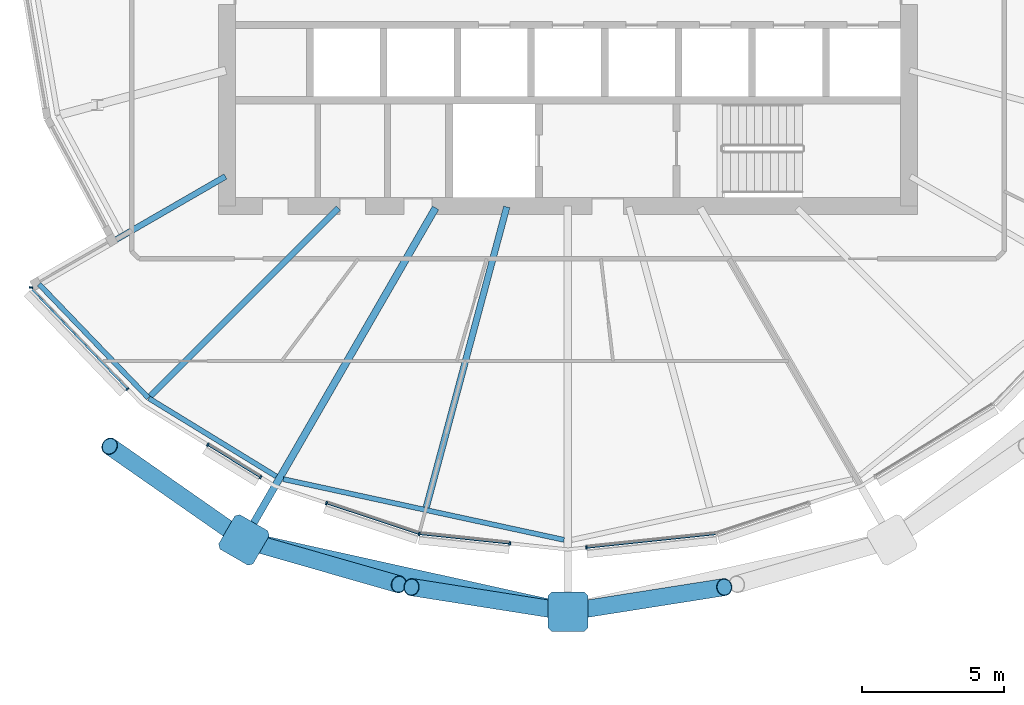
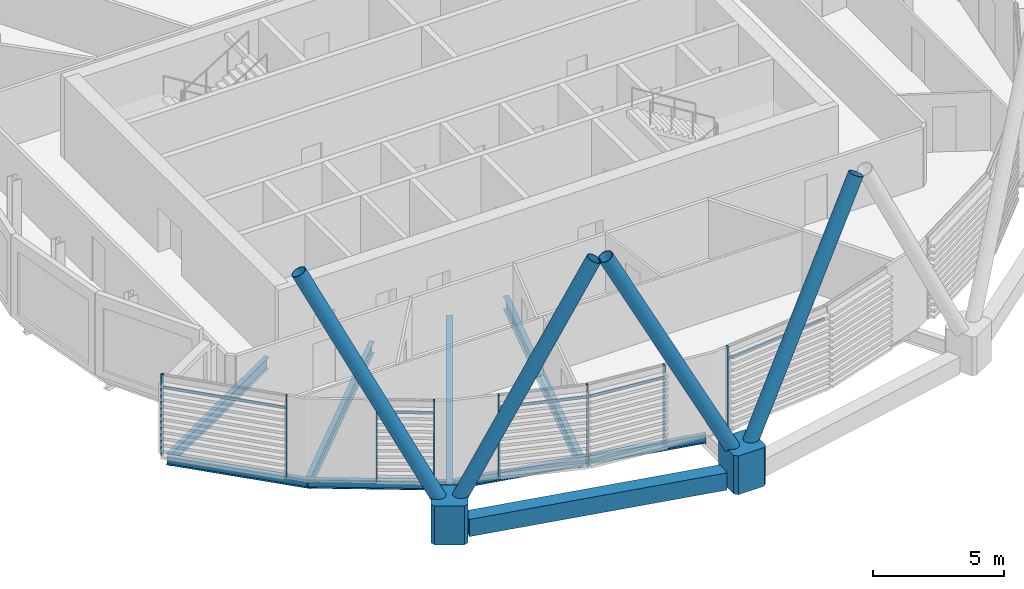
# One storey, part 3 of 38: 19 members, 8 beams, 1 element without a shape of its own.
"""IFC4 building model written with IfcOpenShell, lengths in metres."""

from ifc_helpers import new_model, si_unit, direction, frame, origin, origin_2d, place, context, subcontext, project, spatial, polyline, rectangle, hollow_rectangle, hollow_circle, i_section, outline, extrude, material, material_profile, profile_set, type_object, element, aggregate, save


model = new_model("IFC4")

# Units and contexts
model_context = context("Model", 3, precision=1e-05, world=origin(), true_north=direction((0.0, 1.0)))
body_context = subcontext(model_context, "Body", "Model", "MODEL_VIEW")
ifc_project = project(units=[si_unit("LENGTHUNIT", "METRE"), si_unit("AREAUNIT", "SQUARE_METRE"), si_unit("VOLUMEUNIT", "CUBIC_METRE"), si_unit("PLANEANGLEUNIT", "RADIAN"), si_unit("MASSUNIT", "GRAM", prefix="KILO")], contexts=[model_context])

# Site, building, storey
site_placement = place(None, origin())
site = spatial("IfcSite", under=ifc_project, at=site_placement, CompositionType="ELEMENT")
building_placement = place(site_placement, origin())
building = spatial("IfcBuilding", under=site, at=building_placement, Name="Rimbun Link Towers", CompositionType="ELEMENT")
storey_placement = place(building_placement, frame((0.0, 0.0, 158.89990234375)))
storey = spatial("IfcBuildingStorey", under=building, at=storey_placement, Name="L38", CompositionType="ELEMENT", Elevation=158.89990234375)

# Curtain wall, members
ifc_material_1 = material(Name="Aluminium 6063-T6 and low-iron glass", Category="aluminium")
curtain_wall_type = type_object("IfcCurtainWallType", Name="CW1-Z3 unitised vision wall (zone 3)", PredefinedType="NOTDEFINED", material=ifc_material_1)
curtain_wall_placement = place(storey_placement, origin())
curtain_wall = element("IfcCurtainWall", 1, at=curtain_wall_placement, inside=storey, type_object=curtain_wall_type, Name="CW1 L38 T1", PredefinedType="NOTDEFINED")
ifc_material_2 = material(Name="Aluminium 6063-T6", Category="aluminium")
ifc_material_profile_1 = material_profile(ifc_material_2, rectangle(XDim=0.1201171875, YDim=0.06005859375, at=origin_2d()), Name="MULLION 60X120")
ifc_profile_set_1 = profile_set([ifc_material_profile_1], Name="Aluminium 6063-T6")
member_type_1 = type_object("IfcMemberType", Name="CW1 mullion 60X120", PredefinedType="MULLION", material=ifc_profile_set_1)
member_1_placement = place(storey_placement, frame((-47.255126953125, -14.44287109375, 0.0), z_axis=(0.0, 0.0, 1.0), x_axis=(-0.721847376977, -0.692052284405, 0.0)))
member_1 = element("IfcMember", 2, at=member_1_placement, type_object=member_type_1, Name="CW1 mullion", PredefinedType="MULLION", context=body_context, shape_type="SweptSolid", body=[
    extrude(rectangle(XDim=0.1201171875, YDim=0.06005859375, at=origin_2d()), origin(), (0.0, 0.0, 1.0), 3.800048828125),
])
member_2_placement = place(storey_placement, frame((-50.649658203125, -10.868896484375, 0.0), z_axis=(0.0, 0.0, 1.0), x_axis=(-0.990014643373, 0.140964555497, 0.0)))
member_2 = element("IfcMember", 3, at=member_2_placement, type_object=member_type_1, Name="CW1 mullion", PredefinedType="MULLION", context=body_context, shape_type="SweptSolid", body=[
    extrude(rectangle(XDim=0.1201171875, YDim=0.06005859375, at=origin_2d()), origin(), (0.0, 0.0, 1.0), 3.800048828125),
])
member_3_placement = place(storey_placement, frame((-42.57275390625, -17.542724609375, 0.0), z_axis=(0.0, 0.0, 1.0), x_axis=(-0.523249760653, -0.85217937547, 0.0)))
member_3 = element("IfcMember", 4, at=member_3_placement, type_object=member_type_1, Name="CW1 mullion", PredefinedType="MULLION", context=body_context, shape_type="SweptSolid", body=[
    extrude(rectangle(XDim=0.1201171875, YDim=0.06005859375, at=origin_2d()), origin(), (0.0, 0.0, 1.0), 3.800048828125),
])
member_4_placement = place(storey_placement, frame((-44.423095703125, -16.406494140625, 0.0), z_axis=(0.0, 0.0, 1.0), x_axis=(-0.523249760653, -0.85217937547, 0.0)))
member_4 = element("IfcMember", 5, at=member_4_placement, type_object=member_type_1, Name="CW1 mullion", PredefinedType="MULLION", context=body_context, shape_type="SweptSolid", body=[
    extrude(rectangle(XDim=0.1201171875, YDim=0.06005859375, at=origin_2d()), origin(), (0.0, 0.0, 1.0), 3.800048828125),
])
member_5_placement = place(storey_placement, frame((-36.98291015625, -19.541015625, 0.0), z_axis=(0.0, 0.0, 1.0), x_axis=(-0.210865888506, -0.977515000941, 0.0)))
member_5 = element("IfcMember", 6, at=member_5_placement, type_object=member_type_1, Name="CW1 mullion", PredefinedType="MULLION", context=body_context, shape_type="SweptSolid", body=[
    extrude(rectangle(XDim=0.1201171875, YDim=0.06005859375, at=origin_2d()), origin(), (0.0, 0.0, 1.0), 3.800048828125),
])
member_6_placement = place(storey_placement, frame((-40.245361328125, -18.460205078125, 0.0), z_axis=(0.0, 0.0, 1.0), x_axis=(-0.314555722988, -0.949239009489, 0.0)))
member_6 = element("IfcMember", 7, at=member_6_placement, type_object=member_type_1, Name="CW1 mullion", PredefinedType="MULLION", context=body_context, shape_type="SweptSolid", body=[
    extrude(rectangle(XDim=0.1201171875, YDim=0.06005859375, at=origin_2d()), origin(), (0.0, 0.0, 1.0), 3.800048828125),
])
member_7_placement = place(storey_placement, frame((-33.794921875, -19.876953125, 0.0), z_axis=(0.0, 0.0, 1.0), x_axis=(-0.104740318219, -0.994499605701, 0.0)))
member_7 = element("IfcMember", 8, at=member_7_placement, type_object=member_type_1, Name="CW1 mullion", PredefinedType="MULLION", context=body_context, shape_type="SweptSolid", body=[
    extrude(rectangle(XDim=0.1201171875, YDim=0.06005859375, at=origin_2d()), origin(), (0.0, 0.0, 1.0), 3.800048828125),
])
member_8_placement = place(storey_placement, frame((-31.097412109375, -20.023681640625, 0.0), z_axis=(0.0, 0.0, 1.0), x_axis=(0.104740318219, -0.994499605701, 0.0)))
member_8 = element("IfcMember", 9, at=member_8_placement, type_object=member_type_1, Name="CW1 mullion", PredefinedType="MULLION", context=body_context, shape_type="SweptSolid", body=[
    extrude(rectangle(XDim=0.1201171875, YDim=0.06005859375, at=origin_2d()), origin(), (0.0, 0.0, 1.0), 3.800048828125),
])
ifc_material_3 = material(Name="Aluminium 6063-T6", Category="aluminium")
ifc_material_profile_2 = material_profile(ifc_material_3, rectangle(XDim=0.06005859375, YDim=0.1201171875, at=origin_2d()), Name="TRANSOM 60X120")
ifc_profile_set_2 = profile_set([ifc_material_profile_2], Name="Aluminium 6063-T6")
member_type_2 = type_object("IfcMemberType", Name="CW1 transom 60X120", PredefinedType="USERDEFINED", material=ifc_profile_set_2)
member_9_placement = place(storey_placement, frame((-47.2744140625, -14.419677734375, 3.2001953125), z_axis=(-0.692063709169, 0.721836423611, 0.0), x_axis=(-0.721836423611, -0.692063709169, 0.0)))
member_9 = element("IfcMember", 10, at=member_9_placement, type_object=member_type_2, Name="CW1 transom", ObjectType="TRANSOM", PredefinedType="USERDEFINED", context=body_context, shape_type="SweptSolid", body=[
    extrude(rectangle(XDim=0.06005859375, YDim=0.1201171875, at=origin_2d()), origin(), (0.0, 0.0, 1.0), 4.82177734375),
])
member_10_placement = place(storey_placement, frame((-42.597412109375, -17.525390625, 3.2001953125), z_axis=(-0.852162178984, 0.523277766305, 0.0), x_axis=(-0.523277766305, -0.852162178984, 0.0)))
member_10 = element("IfcMember", 11, at=member_10_placement, type_object=member_type_2, Name="CW1 transom", ObjectType="TRANSOM", PredefinedType="USERDEFINED", context=body_context, shape_type="SweptSolid", body=[
    extrude(rectangle(XDim=0.06005859375, YDim=0.1201171875, at=origin_2d()), origin(), (0.0, 0.0, 1.0), 2.111083984375),
])
member_11_placement = place(storey_placement, frame((-37.01708984375, -19.52783203125, 3.2001953125), z_axis=(-0.949246811547, 0.314532177636, 0.0), x_axis=(-0.314532177636, -0.949246811547, 0.0)))
member_11 = element("IfcMember", 12, at=member_11_placement, type_object=member_type_2, Name="CW1 transom", ObjectType="TRANSOM", PredefinedType="USERDEFINED", context=body_context, shape_type="SweptSolid", body=[
    extrude(rectangle(XDim=0.06005859375, YDim=0.1201171875, at=origin_2d()), origin(), (0.0, 0.0, 1.0), 3.370361328125),
])
member_12_placement = place(storey_placement, frame((-33.82470703125, -19.871826171875, 3.2001953125), z_axis=(-0.994505452921, 0.104684784518, 0.0), x_axis=(-0.104684784518, -0.994505452921, 0.0)))
member_12 = element("IfcMember", 13, at=member_12_placement, type_object=member_type_2, Name="CW1 transom", ObjectType="TRANSOM", PredefinedType="USERDEFINED", context=body_context, shape_type="SweptSolid", body=[
    extrude(rectangle(XDim=0.06005859375, YDim=0.1201171875, at=origin_2d()), origin(), (0.0, 0.0, 1.0), 3.13916015625),
])
member_13_placement = place(storey_placement, frame((-26.553466796875, -19.543212890625, 3.2001953125), z_axis=(-0.99450162093, -0.104721182042, 0.0), x_axis=(0.104721182042, -0.99450162093, 0.0)))
member_13 = element("IfcMember", 14, at=member_13_placement, type_object=member_type_2, Name="CW1 transom", ObjectType="TRANSOM", PredefinedType="USERDEFINED", context=body_context, shape_type="SweptSolid", body=[
    extrude(rectangle(XDim=0.06005859375, YDim=0.1201171875, at=origin_2d()), origin(), (0.0, 0.0, 1.0), 4.5390625),
])
aggregate(curtain_wall, [member_1, member_2, member_3, member_4, member_5, member_6, member_7, member_8, member_9, member_10, member_11, member_12, member_13])

# Members
ifc_material_4 = material(Name="Steel S355J2H", Category="steel")
ifc_material_profile_3 = material_profile(ifc_material_4, hollow_circle(Radius=0.3046875, WallThickness=0.02490234375, at=origin_2d()), Name="Diagrid diagonal CHS 610x25")
ifc_profile_set_3 = profile_set([ifc_material_profile_3], Name="Steel S355J2H")
member_type_3 = type_object("IfcMemberType", Name="Diagrid diagonal CHS 610x25", PredefinedType="BRACE", material=ifc_profile_set_3)
member_14_placement = place(storey_placement, frame((-43.345947265625, -19.620849609375, 0.442626953125), z_axis=(-0.381742033735, 0.266440609862, 0.885032440703), x_axis=(-0.572339011278, -0.820017107242, 0.0)))
element("IfcMember", 15, at=member_14_placement, inside=storey, type_object=member_type_3, Name="Diagrid diagonal T1 L38-L41 16a", PredefinedType="BRACE", context=body_context, shape_type="SweptSolid", body=[
    extrude(hollow_circle(Radius=0.3046875, WallThickness=0.02490234375, at=origin_2d()), origin(), (0.0, 0.0, 1.0), 11.880859375),
])
member_15_placement = place(storey_placement, frame((-42.93408203125, -19.8173828125, 0.444091796875), z_axis=(0.442152021771, -0.126644382728, 0.887954272453), x_axis=(0.275354732768, 0.961342691834, 0.0)))
element("IfcMember", 16, at=member_15_placement, inside=storey, type_object=member_type_3, Name="Diagrid diagonal T1 L38-L41 16b", PredefinedType="BRACE", context=body_context, shape_type="SweptSolid", body=[
    extrude(hollow_circle(Radius=0.3046875, WallThickness=0.02490234375, at=origin_2d()), origin(), (0.0, 0.0, 1.0), 11.83837890625),
])
for number, where, z_axis, x_axis, name in (
    (17, (-31.973876953125, -22.246826171875, 0.44580078125), (-0.447912954276, 0.070528016378, 0.8912910772), (-0.155542790595, -0.987829155418, 0.0), "Diagrid diagonal T1 L38-L41 18a"),
    (18, (-31.526123046875, -22.246826171875, 0.44580078125), (0.447912954276, 0.070528016378, 0.8912910772), (-0.155542790595, 0.987829155418, 0.0), "Diagrid diagonal T1 L38-L41 18b"),
):
    element("IfcMember", number, at=place(storey_placement, frame(where, z_axis=z_axis, x_axis=x_axis)), inside=storey, type_object=member_type_3, Name=name, PredefinedType="BRACE", context=body_context, shape_type="SweptSolid", body=[
        extrude(hollow_circle(Radius=0.3046875, WallThickness=0.02490234375, at=origin_2d()), origin(), (0.0, 0.0, 1.0), 11.790283203125),
    ])
ifc_material_5 = material(Name="Cast steel G20Mn5+QT, Rp0.2 300 MPa", Category="steel")
ifc_material_profile_4 = material_profile(ifc_material_5, outline(polyline([(0.699951171875, -0.570068359375), (0.699951171875, 0.570068359375), (0.570068359375, 0.699951171875), (-0.570068359375, 0.699951171875), (-0.699951171875, 0.570068359375), (-0.699951171875, -0.570068359375), (-0.570068359375, -0.699951171875), (0.570068359375, -0.699951171875), (0.699951171875, -0.570068359375)])), Name="NODE 1400x1400")
ifc_profile_set_4 = profile_set([ifc_material_profile_4], Name="Cast steel G20Mn5+QT, Rp0.2 300 MPa")
member_type_4 = type_object("IfcMemberType", Name="Diagrid node cast 1400", PredefinedType="USERDEFINED", material=ifc_profile_set_4)
for number, where, z_axis, x_axis, name in (
    (19, (-43.155029296875, -19.754150390625, -0.89990234375), (0.0, 0.0, 1.0), (-0.5, -0.866025403784, 0.0), "Diagrid node L38 16"),
    (20, (-31.75, -22.281982421875, -0.89990234375), (0.0, 0.0, 1.0), (0.0, -1.0, 0.0), "Diagrid node L38 18"),
):
    element("IfcMember", number, at=place(storey_placement, frame(where, z_axis=z_axis, x_axis=x_axis)), inside=storey, type_object=member_type_4, Name=name, ObjectType="Diagrid node", PredefinedType="USERDEFINED", context=body_context, shape_type="SweptSolid", body=[
        extrude(outline(polyline([(0.699951171875, -0.570068359375), (0.699951171875, 0.570068359375), (0.570068359375, 0.699951171875), (-0.570068359375, 0.699951171875), (-0.699951171875, 0.570068359375), (-0.699951171875, -0.570068359375), (-0.570068359375, -0.699951171875), (0.570068359375, -0.699951171875), (0.699951171875, -0.570068359375)])), origin(), (0.0, 0.0, 1.0), 1.800048828125),
    ])

# Beams
ifc_material_6 = material(Name="Steel S355J2", Category="steel")
ifc_material_profile_5 = material_profile(ifc_material_6, hollow_rectangle(XDim=0.60009765625, YDim=0.800048828125, WallThickness=0.0400390625, at=origin_2d()), Name="Exoskeleton ring girder BOX 600x800x40")
ifc_profile_set_5 = profile_set([ifc_material_profile_5], Name="Steel S355J2")
beam_type_1 = type_object("IfcBeamType", Name="Exoskeleton ring girder BOX 600x800x40", PredefinedType="BEAM", material=ifc_profile_set_5)
beam_1_placement = place(storey_placement, frame((-42.4716796875, -19.905517578125, -0.559814453125), z_axis=(0.976303128555, -0.216407488719, 0.0), x_axis=(0.216407488719, 0.976303128555, 0.0)))
element("IfcBeam", 21, at=beam_1_placement, inside=storey, type_object=beam_type_1, Name="Exoskeleton ring girder L38 05", PredefinedType="BEAM", context=body_context, shape_type="SweptSolid", body=[
    extrude(hollow_rectangle(XDim=0.60009765625, YDim=0.800048828125, WallThickness=0.0400390625, at=origin_2d()), origin(), (0.0, 0.0, 1.0), 10.281982421875),
])
ifc_material_7 = material(Name="Steel S355J2", Category="steel")
ifc_material_profile_6 = material_profile(ifc_material_7, i_section(OverallWidth=0.177978515625, OverallDepth=0.406494140625, WebThickness=0.0078125, FlangeThickness=0.0126953125, at=origin_2d()), Name="UB 406x178x60")
ifc_profile_set_6 = profile_set([ifc_material_profile_6], Name="Steel S355J2")
beam_type_2 = type_object("IfcBeamType", Name="UB 406x178x60", PredefinedType="BEAM", material=ifc_profile_set_6)
beam_2_placement = place(storey_placement, frame((-50.36669921875, -10.74951171875, -0.35302734375), z_axis=(0.692983908202, -0.720953051851, 0.0), x_axis=(0.720953051851, 0.692983908202, 0.0)))
element("IfcBeam", 22, at=beam_2_placement, inside=storey, type_object=beam_type_2, Name="Edge beam T1 L38 14", PredefinedType="BEAM", context=body_context, shape_type="SweptSolid", body=[
    extrude(i_section(OverallWidth=0.177978515625, OverallDepth=0.406494140625, WebThickness=0.0078125, FlangeThickness=0.0126953125, at=origin_2d()), origin(), (0.0, 0.0, 1.0), 5.551513671875),
])
beam_3_placement = place(storey_placement, frame((-46.500244140625, -14.767333984375, -0.35302734375), z_axis=(0.852661926186, -0.522463050973, 0.0), x_axis=(0.522463050973, 0.852661926186, 0.0)))
element("IfcBeam", 23, at=beam_3_placement, inside=storey, type_object=beam_type_2, Name="Edge beam T1 L38 15", PredefinedType="BEAM", context=body_context, shape_type="SweptSolid", body=[
    extrude(i_section(OverallWidth=0.177978515625, OverallDepth=0.406494140625, WebThickness=0.0078125, FlangeThickness=0.0126953125, at=origin_2d()), origin(), (0.0, 0.0, 1.0), 5.26220703125),
])
beam_4_placement = place(storey_placement, frame((-41.771240234375, -17.61279296875, -0.35302734375), z_axis=(0.97738977143, -0.211445583315, 0.0), x_axis=(0.211445583315, 0.97738977143, 0.0)))
element("IfcBeam", 24, at=beam_4_placement, inside=storey, type_object=beam_type_2, Name="Edge beam T1 L38 16-18", PredefinedType="BEAM", context=body_context, shape_type="SweptSolid", body=[
    extrude(i_section(OverallWidth=0.177978515625, OverallDepth=0.406494140625, WebThickness=0.0078125, FlangeThickness=0.0126953125, at=origin_2d()), origin(), (0.0, 0.0, 1.0), 10.11572265625),
])
ifc_material_8 = material(Name="Steel S355J2", Category="steel")
ifc_material_profile_7 = material_profile(ifc_material_8, i_section(OverallWidth=0.209228515625, OverallDepth=0.533203125, WebThickness=0.010009765625, FlangeThickness=0.015625, at=origin_2d()), Name="UB 533x210x92")
ifc_profile_set_7 = profile_set([ifc_material_profile_7], Name="Steel S355J2")
beam_type_3 = type_object("IfcBeamType", Name="UB 533x210x92", PredefinedType="BEAM", material=ifc_profile_set_7)
beam_5_placement = place(storey_placement, frame((-43.80322265625, -6.958984375, -0.41650390625), z_axis=(-0.866029194288, -0.499993434597, 0.0), x_axis=(0.499993434597, -0.866029194288, 0.0)))
element("IfcBeam", 25, at=beam_5_placement, inside=storey, type_object=beam_type_3, Name="Radial beam T1 L38 14", PredefinedType="BEAM", context=body_context, shape_type="SweptSolid", body=[
    extrude(i_section(OverallWidth=0.209228515625, OverallDepth=0.533203125, WebThickness=0.010009765625, FlangeThickness=0.015625, at=origin_2d()), origin(), (0.0, 0.0, 1.0), 7.48681640625),
])
beam_6_placement = place(storey_placement, frame((-39.82470703125, -8.07470703125, -0.41650390625), z_axis=(-0.707106781187, -0.707106781187, 0.0), x_axis=(0.707106781187, -0.707106781187, 0.0)))
element("IfcBeam", 26, at=beam_6_placement, inside=storey, type_object=beam_type_3, Name="Radial beam T1 L38 15", PredefinedType="BEAM", context=body_context, shape_type="SweptSolid", body=[
    extrude(i_section(OverallWidth=0.209228515625, OverallDepth=0.533203125, WebThickness=0.010009765625, FlangeThickness=0.015625, at=origin_2d()), origin(), (0.0, 0.0, 1.0), 9.365478515625),
])
ifc_material_9 = material(Name="Steel S355J2", Category="steel")
ifc_material_profile_8 = material_profile(ifc_material_9, i_section(OverallWidth=0.2275390625, OverallDepth=0.6025390625, WebThickness=0.010498046875, FlangeThickness=0.014892578125, at=origin_2d()), Name="UB 610x229x101")
ifc_profile_set_8 = profile_set([ifc_material_profile_8], Name="Steel S355J2")
beam_type_4 = type_object("IfcBeamType", Name="UB 610x229x101", PredefinedType="BEAM", material=ifc_profile_set_8)
beam_7_placement = place(storey_placement, frame((-33.901611328125, -8.030517578125, -0.451171875), z_axis=(-0.258833388669, -0.965921982828, 0.0), x_axis=(0.965921982828, -0.258833388669, 0.0)))
element("IfcBeam", 27, at=beam_7_placement, inside=storey, type_object=beam_type_4, Name="Radial beam T1 L38 17", PredefinedType="BEAM", context=body_context, shape_type="SweptSolid", body=[
    extrude(i_section(OverallWidth=0.2275390625, OverallDepth=0.6025390625, WebThickness=0.010498046875, FlangeThickness=0.014892578125, at=origin_2d()), origin(), (0.0, 0.0, 1.0), 10.952880859375),
])
ifc_material_10 = material(Name="Steel S355J2", Category="steel")
ifc_material_profile_9 = material_profile(ifc_material_10, i_section(OverallWidth=0.253662109375, OverallDepth=0.68359375, WebThickness=0.012451171875, FlangeThickness=0.01904296875, at=origin_2d()), Name="UB 686x254x140")
ifc_profile_set_9 = profile_set([ifc_material_profile_9], Name="Steel S355J2")
beam_type_5 = type_object("IfcBeamType", Name="UB 686x254x140", PredefinedType="BEAM", material=ifc_profile_set_9)
beam_8_placement = place(storey_placement, frame((-36.406005859375, -8.064208984375, -0.49169921875), z_axis=(-0.499993432475, -0.866029195513, 0.0), x_axis=(0.866029195513, -0.499993432475, 0.0)))
element("IfcBeam", 28, at=beam_8_placement, inside=storey, type_object=beam_type_5, Name="Radial beam T1 L38 16", PredefinedType="BEAM", context=body_context, shape_type="SweptSolid", body=[
    extrude(i_section(OverallWidth=0.253662109375, OverallDepth=0.68359375, WebThickness=0.012451171875, FlangeThickness=0.01904296875, at=origin_2d()), origin(), (0.0, 0.0, 1.0), 12.998291015625),
])

save(model, "model.ifc")
